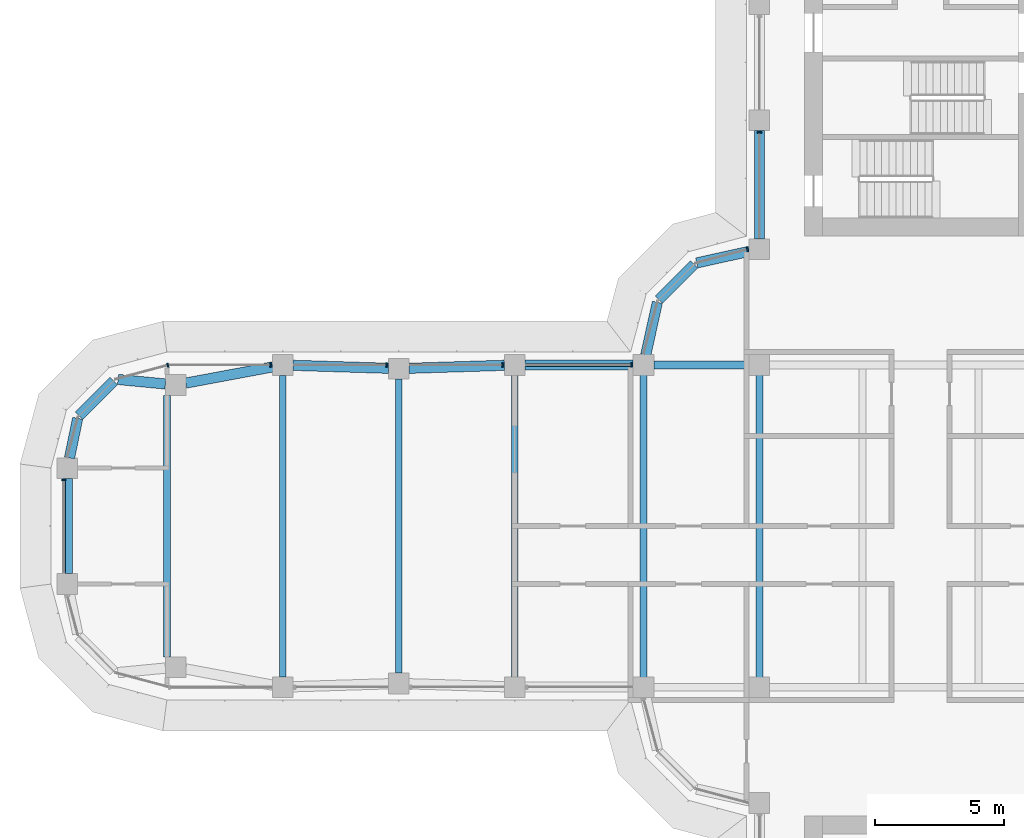
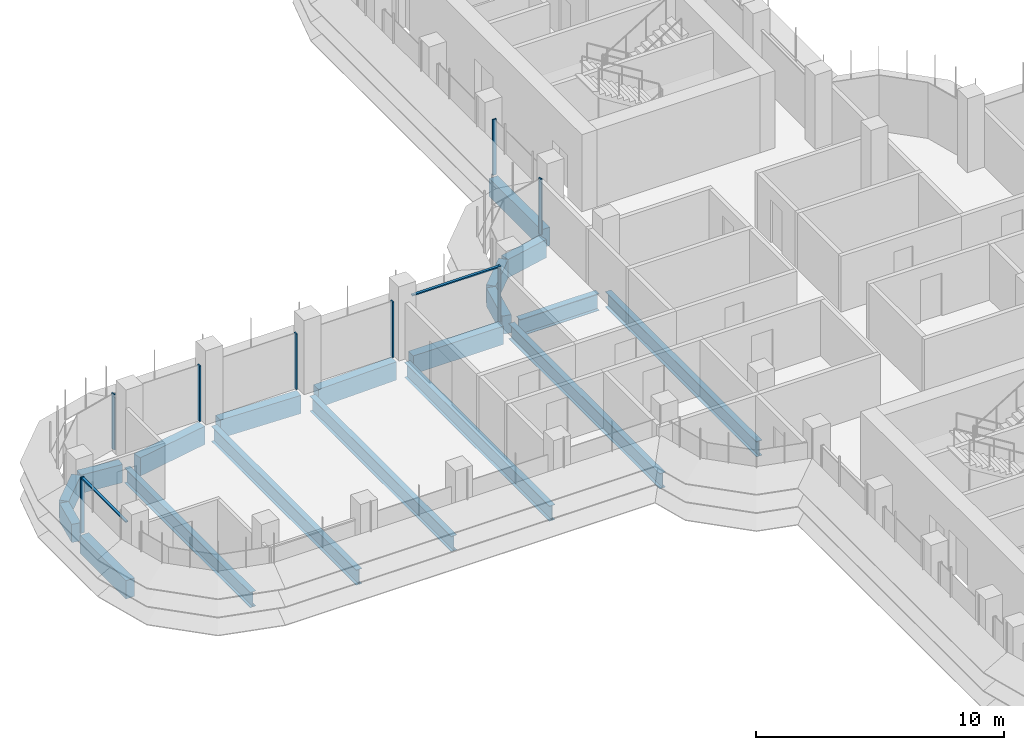
# One storey, part 6 of 19: 19 beams, 10 members, 5 elements without a shape of their own.
"""IFC4 building model written with IfcOpenShell, lengths in metres."""

from ifc_helpers import new_model, si_unit, direction, frame, origin, origin_2d, place, context, subcontext, project, spatial, polyline, rectangle, i_section, outline, extrude, source, transform, mapped, material, material_profile, profile_set, type_object, element, aggregate, save


model = new_model("IFC4")

# Units and contexts
model_context = context("Model", 3, precision=1e-05, world=origin(), true_north=direction((0.0, 1.0)))
body_context = subcontext(model_context, "Body", "Model", "MODEL_VIEW")
ifc_project = project(units=[si_unit("LENGTHUNIT", "METRE"), si_unit("AREAUNIT", "SQUARE_METRE"), si_unit("VOLUMEUNIT", "CUBIC_METRE"), si_unit("PLANEANGLEUNIT", "RADIAN"), si_unit("MASSUNIT", "GRAM", prefix="KILO")], contexts=[model_context])

# Site, building, storey
site_placement = place(None, origin())
site = spatial("IfcSite", under=ifc_project, at=site_placement, CompositionType="ELEMENT")
building_placement = place(site_placement, origin())
building = spatial("IfcBuilding", under=site, at=building_placement, Name="Zarbagh Exchange Tower", CompositionType="ELEMENT")
storey_placement = place(building_placement, frame((0.0, 0.0, 167.60009765625)))
storey = spatial("IfcBuildingStorey", under=building, at=storey_placement, Name="L40", CompositionType="ELEMENT", Elevation=167.60009765625)

# Beams
ifc_material_1 = material(Name="Steel ASTM A992 Gr 50", Category="steel")
ifc_material_profile_1 = material_profile(ifc_material_1, i_section(OverallWidth=0.26416015625, OverallDepth=0.749267578125, WebThickness=0.011962890625, FlangeThickness=0.015380859375, at=origin_2d()), Name="W30X90")
ifc_profile_set_1 = profile_set([ifc_material_profile_1], Name="Steel ASTM A992 Gr 50")
beam_type_1 = type_object("IfcBeamType", Name="Floor beam W30X90", PredefinedType="BEAM", material=ifc_profile_set_1)
for number, where, z_axis, x_axis, name in (
    (1, (-10.75, -6.10400390625, -0.524658203125), (0.0, 1.0, 0.0), (-1.0, 0.0, 0.0), "Steel floor beam"),
    (2, (-6.25, -6.10400390625, -0.524658203125), (0.0, 1.0, 0.0), (-1.0, 0.0, 0.0), "Steel floor beam"),
):
    element("IfcBeam", number, at=place(storey_placement, frame(where, z_axis=z_axis, x_axis=x_axis)), inside=storey, type_object=beam_type_1, Name=name, PredefinedType="BEAM", context=body_context, shape_type="SweptSolid", body=[
        extrude(i_section(OverallWidth=0.26416015625, OverallDepth=0.749267578125, WebThickness=0.011962890625, FlangeThickness=0.015380859375, at=origin_2d()), origin(), (0.0, 0.0, 1.0), 12.2080078125),
    ])
beam_1_placement = place(storey_placement, frame((-15.75, -5.85009765625, -0.524658203125), z_axis=(0.0, 1.0, 0.0), x_axis=(-1.0, 0.0, 0.0)))
element("IfcBeam", 3, at=beam_1_placement, inside=storey, type_object=beam_type_1, Name="Steel floor beam", PredefinedType="BEAM", context=body_context, shape_type="SweptSolid", body=[
    extrude(i_section(OverallWidth=0.26416015625, OverallDepth=0.749267578125, WebThickness=0.011962890625, FlangeThickness=0.015380859375, at=origin_2d()), origin(), (0.0, 0.0, 1.0), 11.7001953125),
])
beam_2_placement = place(storey_placement, frame((-20.25, -5.7099609375, -0.524658203125), z_axis=(0.0, 1.0, 0.0), x_axis=(-1.0, 0.0, 0.0)))
element("IfcBeam", 4, at=beam_2_placement, inside=storey, type_object=beam_type_1, Name="Steel floor beam", PredefinedType="BEAM", context=body_context, shape_type="SweptSolid", body=[
    extrude(i_section(OverallWidth=0.26416015625, OverallDepth=0.749267578125, WebThickness=0.011962890625, FlangeThickness=0.015380859375, at=origin_2d()), origin(), (0.0, 0.0, 1.0), 11.419921875),
])
beam_3_placement = place(storey_placement, frame((-24.75, -5.85009765625, -0.524658203125), z_axis=(0.0, 1.0, 0.0), x_axis=(-1.0, 0.0, 0.0)))
element("IfcBeam", 5, at=beam_3_placement, inside=storey, type_object=beam_type_1, Name="Steel floor beam", PredefinedType="BEAM", context=body_context, shape_type="SweptSolid", body=[
    extrude(i_section(OverallWidth=0.26416015625, OverallDepth=0.749267578125, WebThickness=0.011962890625, FlangeThickness=0.015380859375, at=origin_2d()), origin(), (0.0, 0.0, 1.0), 11.7001953125),
])
beam_4_placement = place(storey_placement, frame((-29.25, -5.074951171875, -0.524658203125), z_axis=(0.0, 1.0, 0.0), x_axis=(-1.0, 0.0, 0.0)))
element("IfcBeam", 6, at=beam_4_placement, inside=storey, type_object=beam_type_1, Name="Steel floor beam", PredefinedType="BEAM", context=body_context, shape_type="SweptSolid", body=[
    extrude(i_section(OverallWidth=0.26416015625, OverallDepth=0.749267578125, WebThickness=0.011962890625, FlangeThickness=0.015380859375, at=origin_2d()), origin(), (0.0, 0.0, 1.0), 10.14990234375),
])
ifc_material_profile_2 = material_profile(ifc_material_1, i_section(OverallWidth=0.2919921875, OverallDepth=0.835693359375, WebThickness=0.013916015625, FlangeThickness=0.018798828125, at=origin_2d()), Name="W33X118")
ifc_profile_set_2 = profile_set([ifc_material_profile_2], Name="Steel ASTM A992 Gr 50")
beam_type_2 = type_object("IfcBeamType", Name="Floor girder W33X118", PredefinedType="BEAM", material=ifc_profile_set_2)
beam_5_placement = place(storey_placement, frame((-10.35009765625, 6.25, -0.56787109375), z_axis=(1.0, 0.0, 0.0), x_axis=(0.0, 1.0, 0.0)))
element("IfcBeam", 7, at=beam_5_placement, inside=storey, type_object=beam_type_2, Name="Steel girder", PredefinedType="BEAM", context=body_context, shape_type="SweptSolid", body=[
    extrude(i_section(OverallWidth=0.2919921875, OverallDepth=0.835693359375, WebThickness=0.013916015625, FlangeThickness=0.018798828125, at=origin_2d()), origin(), (0.0, 0.0, 1.0), 3.7001953125),
])
ifc_material_2 = material(Name="Concrete C50/60", Category="concrete")
ifc_material_profile_3 = material_profile(ifc_material_2, rectangle(XDim=0.39990234375, YDim=0.89990234375, at=origin_2d()), Name="RC spandrel beam 400 x 900 C50/60")
ifc_profile_set_3 = profile_set([ifc_material_profile_3], Name="Concrete C50/60")
beam_type_3 = type_object("IfcBeamType", Name="RC spandrel beam 400 x 900 C50/60", PredefinedType="SPANDREL", material=ifc_profile_set_3)
beam_6_placement = place(storey_placement, frame((-33.110107421875, -1.85009765625, -0.60009765625), z_axis=(0.0, 1.0, 0.0), x_axis=(-1.0, 0.0, 0.0)))
element("IfcBeam", 8, at=beam_6_placement, inside=storey, type_object=beam_type_3, Name="RC spandrel beam", PredefinedType="SPANDREL", context=body_context, shape_type="SweptSolid", body=[
    extrude(rectangle(XDim=0.39990234375, YDim=0.89990234375, at=origin_2d()), origin(), (0.0, 0.0, 1.0), 3.7001953125),
])
beam_7_placement = place(storey_placement, frame((-33.029052734375, 2.6416015625, -0.60009765625), z_axis=(0.20216948151, 0.979350550491, 0.0), x_axis=(-0.979350550491, 0.20216948151, 0.0)))
element("IfcBeam", 9, at=beam_7_placement, inside=storey, type_object=beam_type_3, Name="RC spandrel beam", PredefinedType="SPANDREL", context=body_context, shape_type="SweptSolid", body=[
    extrude(rectangle(XDim=0.39990234375, YDim=0.89990234375, at=origin_2d()), origin(), (0.0, 0.0, 1.0), 1.573486328125),
])
beam_8_placement = place(storey_placement, frame((-32.656494140625, 4.283447265625, -0.60009765625), z_axis=(0.707106781187, 0.707106781187, 0.0), x_axis=(-0.707106781187, 0.707106781187, 0.0)))
element("IfcBeam", 10, at=beam_8_placement, inside=storey, type_object=beam_type_3, Name="RC spandrel beam", PredefinedType="SPANDREL", context=body_context, shape_type="SweptSolid", body=[
    extrude(rectangle(XDim=0.39990234375, YDim=0.89990234375, at=origin_2d()), origin(), (0.0, 0.0, 1.0), 1.9072265625),
])
beam_9_placement = place(storey_placement, frame((-31.147216796875, 5.689697265625, -0.60009765625), z_axis=(0.995435353267, -0.095438239015, 0.0), x_axis=(0.095438239015, 0.995435353267, 0.0)))
element("IfcBeam", 11, at=beam_9_placement, inside=storey, type_object=beam_type_3, Name="RC spandrel beam", PredefinedType="SPANDREL", context=body_context, shape_type="SweptSolid", body=[
    extrude(rectangle(XDim=0.39990234375, YDim=0.89990234375, at=origin_2d()), origin(), (0.0, 0.0, 1.0), 1.849609375),
])
beam_10_placement = place(storey_placement, frame((-28.514892578125, 5.54833984375, -0.60009765625), z_axis=(0.983069862768, 0.183231124313, 0.0), x_axis=(-0.183231124313, 0.983069862768, 0.0)))
element("IfcBeam", 12, at=beam_10_placement, inside=storey, type_object=beam_type_3, Name="RC spandrel beam", PredefinedType="SPANDREL", context=body_context, shape_type="SweptSolid", body=[
    extrude(rectangle(XDim=0.39990234375, YDim=0.89990234375, at=origin_2d()), origin(), (0.0, 0.0, 1.0), 3.4296875),
])
for number, where, z_axis, x_axis, name in (
    (13, (-24.35009765625, 6.237548828125, -0.60009765625), (0.999515416033, -0.031127690444, 0.0), (0.031127690444, 0.999515416033, 0.0), "RC spandrel beam"),
    (14, (-19.85009765625, 6.122314453125, -0.60009765625), (0.999515416033, 0.031127690444, 0.0), (-0.031127690444, 0.999515416033, 0.0), "RC spandrel beam"),
):
    element("IfcBeam", number, at=place(storey_placement, frame(where, z_axis=z_axis, x_axis=x_axis)), inside=storey, type_object=beam_type_3, Name=name, PredefinedType="SPANDREL", context=body_context, shape_type="SweptSolid", body=[
        extrude(rectangle(XDim=0.39990234375, YDim=0.89990234375, at=origin_2d()), origin(), (0.0, 0.0, 1.0), 3.701904296875),
    ])
beam_11_placement = place(storey_placement, frame((-15.35009765625, 6.25, -0.60009765625), z_axis=(1.0, 0.0, 0.0), x_axis=(0.0, 1.0, 0.0)))
element("IfcBeam", 15, at=beam_11_placement, inside=storey, type_object=beam_type_3, Name="RC spandrel beam", PredefinedType="SPANDREL", context=body_context, shape_type="SweptSolid", body=[
    extrude(rectangle(XDim=0.39990234375, YDim=0.89990234375, at=origin_2d()), origin(), (0.0, 0.0, 1.0), 4.2001953125),
])
beam_12_placement = place(storey_placement, frame((-10.66357421875, 6.640625, -0.60009765625), z_axis=(0.216041061437, 0.976384278741, 0.0), x_axis=(-0.976384278741, 0.216041061437, 0.0)))
element("IfcBeam", 16, at=beam_12_placement, inside=storey, type_object=beam_type_3, Name="RC spandrel beam", PredefinedType="SPANDREL", context=body_context, shape_type="SweptSolid", body=[
    extrude(rectangle(XDim=0.39990234375, YDim=0.89990234375, at=origin_2d()), origin(), (0.0, 0.0, 1.0), 2.0927734375),
])
beam_13_placement = place(storey_placement, frame((-10.15771484375, 8.782470703125, -0.60009765625), z_axis=(0.707106781187, 0.707106781187, 0.0), x_axis=(-0.707106781187, 0.707106781187, 0.0)))
element("IfcBeam", 17, at=beam_13_placement, inside=storey, type_object=beam_type_3, Name="RC spandrel beam", PredefinedType="SPANDREL", context=body_context, shape_type="SweptSolid", body=[
    extrude(rectangle(XDim=0.39990234375, YDim=0.89990234375, at=origin_2d()), origin(), (0.0, 0.0, 1.0), 1.94482421875),
])
beam_14_placement = place(storey_placement, frame((-8.68408203125, 10.21142578125, -0.60009765625), z_axis=(0.976384278741, 0.216041061437, 0.0), x_axis=(-0.216041061437, 0.976384278741, 0.0)))
element("IfcBeam", 18, at=beam_14_placement, inside=storey, type_object=beam_type_3, Name="RC spandrel beam", PredefinedType="SPANDREL", context=body_context, shape_type="SweptSolid", body=[
    extrude(rectangle(XDim=0.39990234375, YDim=0.89990234375, at=origin_2d()), origin(), (0.0, 0.0, 1.0), 2.0927734375),
])
beam_15_placement = place(storey_placement, frame((-6.25, 11.14990234375, -0.60009765625), z_axis=(0.0, 1.0, 0.0), x_axis=(-1.0, 0.0, 0.0)))
element("IfcBeam", 19, at=beam_15_placement, inside=storey, type_object=beam_type_3, Name="RC spandrel beam", PredefinedType="SPANDREL", context=body_context, shape_type="SweptSolid", body=[
    extrude(rectangle(XDim=0.39990234375, YDim=0.89990234375, at=origin_2d()), origin(), (0.0, 0.0, 1.0), 4.2001953125),
])

# Curtain wall, member
ifc_material_3 = material(Name="Anodised aluminium frame and glazing", Category="aluminium")
curtain_wall_type = type_object("IfcCurtainWallType", Name="CWB Ribbon glazing, upper zones", PredefinedType="NOTDEFINED", material=ifc_material_3)
curtain_wall_1_placement = place(storey_placement, origin())
curtain_wall_1 = element("IfcCurtainWall", 20, at=curtain_wall_1_placement, inside=storey, type_object=curtain_wall_type, Name="CWB28 curtain wall", PredefinedType="NOTDEFINED")
ifc_material_4 = material(Name="Anodised aluminium frame", Category="aluminium")
member_type_1 = type_object("IfcMemberType", Name="MUB Mullion, anodised aluminium frame", PredefinedType="MULLION", material=ifc_material_4)
shared_shape_1 = source(origin(), body_context, "Body", "SweptSolid", [
    extrude(outline(polyline([(0.0, -0.080078125), (0.06005859375, -0.080078125), (0.06005859375, 0.080078125), (0.0, 0.080078125), (0.0, -0.080078125)])), origin(), (0.0, 0.0, 1.0), 2.75),
])
placement = place(storey_placement, origin())
member_1 = element("IfcMember", 21, at=placement, type_object=member_type_1, Name="CWB28 mullion 4.1", PredefinedType="MULLION", context=body_context, shape_type="MappedRepresentation", body=[
    mapped(shared_shape_1, transform((-6.25, 15.31005859375, 0.0), x_axis=(0.0, -1.0, 0.0), y_axis=(1.0, 0.0, 0.0), z_axis=(0.0, 0.0, 1.0))),
])
aggregate(curtain_wall_1, [member_1])

curtain_wall_2_placement = place(storey_placement, origin())
curtain_wall_2 = element("IfcCurtainWall", 22, at=curtain_wall_2_placement, inside=storey, type_object=curtain_wall_type, Name="CWB29 curtain wall", PredefinedType="NOTDEFINED")
member_2 = element("IfcMember", 23, at=placement, type_object=member_type_1, Name="CWB29 mullion 1.1", PredefinedType="MULLION", context=body_context, shape_type="MappedRepresentation", body=[
    mapped(shared_shape_1, transform((-6.68994140625, 10.74853515625, 0.0), x_axis=(-0.965924289636, -0.258824779902, 0.0), y_axis=(0.258824779902, -0.965924289636, 0.0), z_axis=(0.0, 0.0, 1.0))),
])
aggregate(curtain_wall_2, [member_2])

# Curtain wall, members
curtain_wall_3_placement = place(storey_placement, origin())
curtain_wall_3 = element("IfcCurtainWall", 24, at=curtain_wall_3_placement, inside=storey, type_object=curtain_wall_type, Name="CWB32 curtain wall", PredefinedType="NOTDEFINED")
member_3 = element("IfcMember", 25, at=placement, type_object=member_type_1, Name="CWB32 mullion 1.1", PredefinedType="MULLION", context=body_context, shape_type="MappedRepresentation", body=[
    mapped(shared_shape_1, transform((-11.18994140625, 6.25, 0.0), x_axis=(-1.0, 0.0, 0.0), y_axis=(0.0, -1.0, 0.0), z_axis=(0.0, 0.0, 1.0))),
])
member_4 = element("IfcMember", 26, at=placement, type_object=member_type_1, Name="CWB32 mullion 2.1", PredefinedType="MULLION", context=body_context, shape_type="MappedRepresentation", body=[
    mapped(shared_shape_1, transform((-16.18994140625, 6.25, 0.0), x_axis=(-1.0, 0.0, 0.0), y_axis=(0.0, -1.0, 0.0), z_axis=(0.0, 0.0, 1.0))),
])
member_5 = element("IfcMember", 27, at=placement, type_object=member_type_1, Name="CWB32 mullion 3.1", PredefinedType="MULLION", context=body_context, shape_type="MappedRepresentation", body=[
    mapped(shared_shape_1, transform((-20.68994140625, 6.25, 0.0), x_axis=(-1.0, 0.0, 0.0), y_axis=(0.0, -1.0, 0.0), z_axis=(0.0, 0.0, 1.0))),
])
member_6 = element("IfcMember", 28, at=placement, type_object=member_type_1, Name="CWB32 mullion 4.1", PredefinedType="MULLION", context=body_context, shape_type="MappedRepresentation", body=[
    mapped(shared_shape_1, transform((-25.18994140625, 6.25, 0.0), x_axis=(-1.0, 0.0, 0.0), y_axis=(0.0, -1.0, 0.0), z_axis=(0.0, 0.0, 1.0))),
])

# Curtain wall, member
curtain_wall_4_placement = place(storey_placement, origin())
curtain_wall_4 = element("IfcCurtainWall", 29, at=curtain_wall_4_placement, inside=storey, type_object=curtain_wall_type, Name="CWB33 curtain wall", PredefinedType="NOTDEFINED")
member_7 = element("IfcMember", 30, at=placement, type_object=member_type_1, Name="CWB33 mullion 1.1", PredefinedType="MULLION", context=body_context, shape_type="MappedRepresentation", body=[
    mapped(shared_shape_1, transform((-29.18408203125, 6.25, 0.0), x_axis=(-0.965924289636, -0.258824779902, 0.0), y_axis=(0.258824779902, -0.965924289636, 0.0), z_axis=(0.0, 0.0, 1.0))),
])
aggregate(curtain_wall_4, [member_7])

curtain_wall_5_placement = place(storey_placement, origin())
curtain_wall_5 = element("IfcCurtainWall", 31, at=curtain_wall_5_placement, inside=storey, type_object=curtain_wall_type, Name="CWB36 curtain wall", PredefinedType="NOTDEFINED")
member_8 = element("IfcMember", 32, at=placement, type_object=member_type_1, Name="CWB36 mullion 1.1", PredefinedType="MULLION", context=body_context, shape_type="MappedRepresentation", body=[
    mapped(shared_shape_1, transform((-33.25, 1.81005859375, 0.0), x_axis=(0.0, -1.0, 0.0), y_axis=(1.0, 0.0, 0.0), z_axis=(0.0, 0.0, 1.0))),
])

# Member
member_type_2 = type_object("IfcMemberType", Name="TRB Transom, anodised aluminium frame", PredefinedType="USERDEFINED", material=ifc_material_4)
shared_shape_2 = source(origin(), body_context, "Body", "SweptSolid", [
    extrude(outline(polyline([(-0.06005859375, -0.06005859375), (0.0, -0.06005859375), (0.0, 0.06005859375), (-0.06005859375, 0.06005859375), (-0.06005859375, -0.06005859375)])), origin(), (0.0, 0.0, 1.0), 4.06005859375),
])
member_9 = element("IfcMember", 33, at=placement, type_object=member_type_2, Name="CWB32 transom 1.1", ObjectType="TRANSOM", PredefinedType="USERDEFINED", context=body_context, shape_type="MappedRepresentation", body=[
    mapped(shared_shape_2, transform((-11.25, 6.25, 2.75), x_axis=(0.0, 0.0, 1.0), y_axis=(0.0, 1.0, 0.0), z_axis=(-1.0, 0.0, 0.0))),
])

aggregate(curtain_wall_3, [member_3, member_9, member_4, member_5, member_6])

shared_shape_3 = source(origin(), body_context, "Body", "SweptSolid", [
    extrude(outline(polyline([(-0.06005859375, -0.06005859375), (0.0, -0.06005859375), (0.0, 0.06005859375), (-0.06005859375, 0.06005859375), (-0.06005859375, -0.06005859375)])), origin(), (0.0, 0.0, 1.0), 3.56005859375),
])
member_10 = element("IfcMember", 34, at=placement, type_object=member_type_2, Name="CWB36 transom 1.1", ObjectType="TRANSOM", PredefinedType="USERDEFINED", context=body_context, shape_type="MappedRepresentation", body=[
    mapped(shared_shape_3, transform((-33.25, 1.75, 2.75), x_axis=(0.0, 0.0, 1.0), y_axis=(-1.0, 0.0, 0.0), z_axis=(0.0, -1.0, 0.0))),
])

aggregate(curtain_wall_5, [member_8, member_10])

save(model, "model.ifc")
